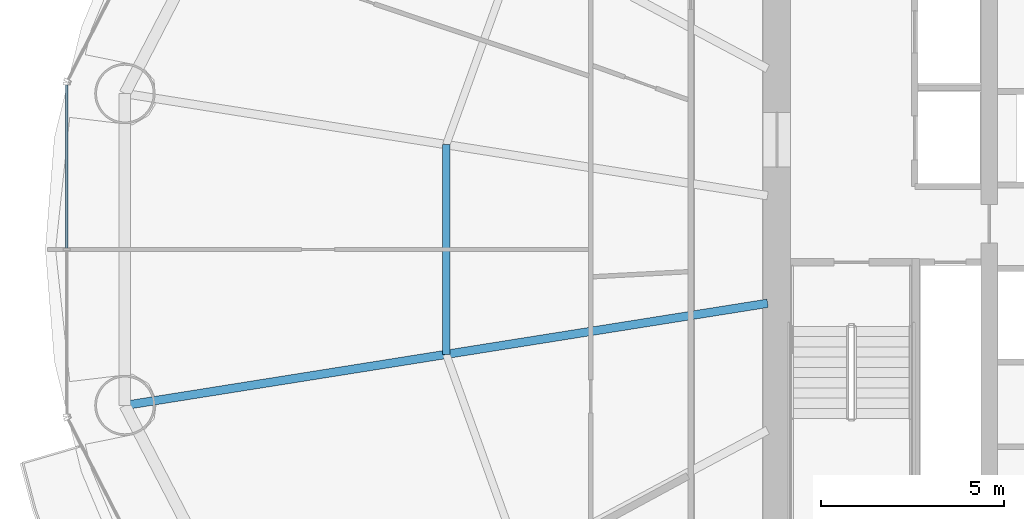
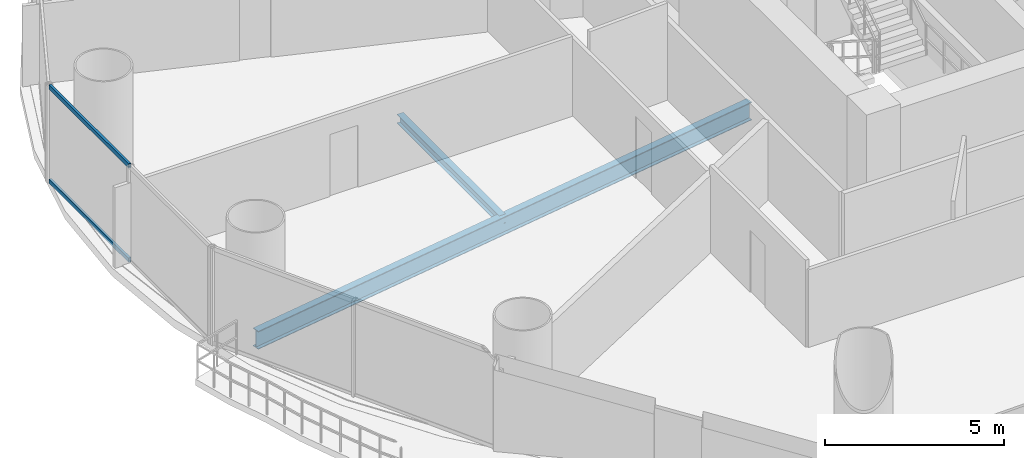
# One storey, part 8 of 30: 2 beams, 2 members, 1 element without a shape of its own.
"""IFC4 building model written with IfcOpenShell, lengths in metres."""

from ifc_helpers import new_model, si_unit, direction, frame, origin, origin_2d, place, context, subcontext, project, spatial, hollow_rectangle, i_section, extrude, source, transform, mapped, material, material_profile, profile_set, type_object, element, aggregate, save


model = new_model("IFC4")

# Units and contexts
model_context = context("Model", 3, precision=1e-05, world=origin(), true_north=direction((-0.2419218956, 0.970295726276)))
body_context = subcontext(model_context, "Body", "Model", "MODEL_VIEW")
ifc_project = project(units=[si_unit("LENGTHUNIT", "METRE"), si_unit("AREAUNIT", "SQUARE_METRE"), si_unit("VOLUMEUNIT", "CUBIC_METRE"), si_unit("PLANEANGLEUNIT", "RADIAN"), si_unit("MASSUNIT", "GRAM", prefix="KILO")], contexts=[model_context])

# Site, building, storey
site_placement = place(None, origin())
site = spatial("IfcSite", under=ifc_project, at=site_placement, CompositionType="ELEMENT")
building_placement = place(site_placement, origin())
building = spatial("IfcBuilding", under=site, at=building_placement, Name="Cobrevalo Terracotta Tower", CompositionType="ELEMENT")
storey_placement = place(building_placement, frame((0.0, 0.0, 56.39990234375)))
storey = spatial("IfcBuildingStorey", under=building, at=storey_placement, Name="L14", CompositionType="ELEMENT", Elevation=56.39990234375)

# Beams
ifc_material_1 = material(Name="Steel S355", Category="steel")
ifc_material_profile_1 = material_profile(ifc_material_1, i_section(OverallWidth=0.22998046875, OverallDepth=0.616943359375, WebThickness=0.01318359375, FlangeThickness=0.022216796875, at=origin_2d()), Name="W 610x140")
ifc_profile_set_1 = profile_set([ifc_material_profile_1], Name="Steel S355")
beam_type_1 = type_object("IfcBeamType", Name="Structural Beam W 610x140 (Steel S355)", PredefinedType="BEAM", material=ifc_profile_set_1)
beam_1_placement = place(storey_placement, frame((11.175537109375, 22.537353515625, -0.58837890625), z_axis=(0.987607924622, 0.156941349628, 0.0), x_axis=(-0.156941349628, 0.987607924622, 0.0)))
element("IfcBeam", 1, at=beam_1_placement, inside=storey, type_object=beam_type_1, Name="L14 radial floor girder 09", PredefinedType="BEAM", context=body_context, shape_type="SweptSolid", body=[
    extrude(i_section(OverallWidth=0.22998046875, OverallDepth=0.616943359375, WebThickness=0.01318359375, FlangeThickness=0.022216796875, at=origin_2d()), origin(), (0.0, 0.0, 1.0), 17.7900390625),
])
ifc_material_profile_2 = material_profile(ifc_material_1, i_section(OverallWidth=0.2041015625, OverallDepth=0.305908203125, WebThickness=0.008544921875, FlangeThickness=0.0146484375, at=origin_2d()), Name="W 310x67")
ifc_profile_set_2 = profile_set([ifc_material_profile_2], Name="Steel S355")
beam_type_2 = type_object("IfcBeamType", Name="Structural Joist W 310x67 (Steel S355)", PredefinedType="JOIST", material=ifc_profile_set_2)
beam_2_placement = place(storey_placement, frame((19.960205078125, 29.666748046875, -0.432861328125), z_axis=(0.0, -1.0, 0.0), x_axis=(1.0, 0.0, 0.0)))
element("IfcBeam", 2, at=beam_2_placement, inside=storey, type_object=beam_type_2, Name="L14 circumferential secondary floor joist 08", PredefinedType="JOIST", context=body_context, shape_type="SweptSolid", body=[
    extrude(i_section(OverallWidth=0.2041015625, OverallDepth=0.305908203125, WebThickness=0.008544921875, FlangeThickness=0.0146484375, at=origin_2d()), origin(), (0.0, 0.0, 1.0), 5.7333984375),
])

# Curtain wall, members
ifc_material_2 = material(Name="Anodized aluminium", Category="aluminium")
curtain_wall_type = type_object("IfcCurtainWallType", Name="Lower-tower unitised acoustic low-E curtain wall CW-U1", PredefinedType="NOTDEFINED", material=ifc_material_2)
curtain_wall_placement = place(storey_placement, origin())
curtain_wall = element("IfcCurtainWall", 3, at=curtain_wall_placement, inside=storey, type_object=curtain_wall_type, Name="L14 curtain wall CW-L14-S08", PredefinedType="NOTDEFINED")
ifc_material_profile_3 = material_profile(ifc_material_2, hollow_rectangle(XDim=0.074951171875, YDim=0.14990234375, WallThickness=0.00439453125, at=origin_2d()), Name="CWT 75x150")
ifc_profile_set_3 = profile_set([ifc_material_profile_3], Name="Anodized aluminium")
member_type = type_object("IfcMemberType", Name="Tower unitised aluminium transom 75x150", PredefinedType="USERDEFINED", material=ifc_profile_set_3)
shared_shape = source(origin(), body_context, "Body", "SweptSolid", [
    extrude(hollow_rectangle(XDim=0.074951171875, YDim=0.14990234375, WallThickness=0.00439453125, at=origin_2d()), origin(), (0.0, 0.0, 1.0), 4.458740234375),
])
member_1_placement = place(storey_placement, frame((9.586669921875, 31.298828125, 0.050048828125), z_axis=(0.0, -1.0, 0.0), x_axis=(1.0, 0.0, 0.0)))
member_1 = element("IfcMember", 4, at=member_1_placement, type_object=member_type, Name="CW-L14-S08 transom B01-T1", ObjectType="TRANSOM", PredefinedType="USERDEFINED", context=body_context, shape_type="MappedRepresentation", body=[
    mapped(shared_shape, transform((0.0, 0.0, 0.0), scale=1.0)),
])
member_2_placement = place(storey_placement, frame((9.586669921875, 31.298828125, 3.27001953125), z_axis=(0.0, -1.0, 0.0), x_axis=(1.0, 0.0, 0.0)))
member_2 = element("IfcMember", 5, at=member_2_placement, type_object=member_type, Name="CW-L14-S08 transom B01-T2", ObjectType="TRANSOM", PredefinedType="USERDEFINED", context=body_context, shape_type="MappedRepresentation", body=[
    mapped(shared_shape, transform((0.0, 0.0, 0.0), scale=1.0)),
])
aggregate(curtain_wall, [member_1, member_2])

save(model, "model.ifc")
